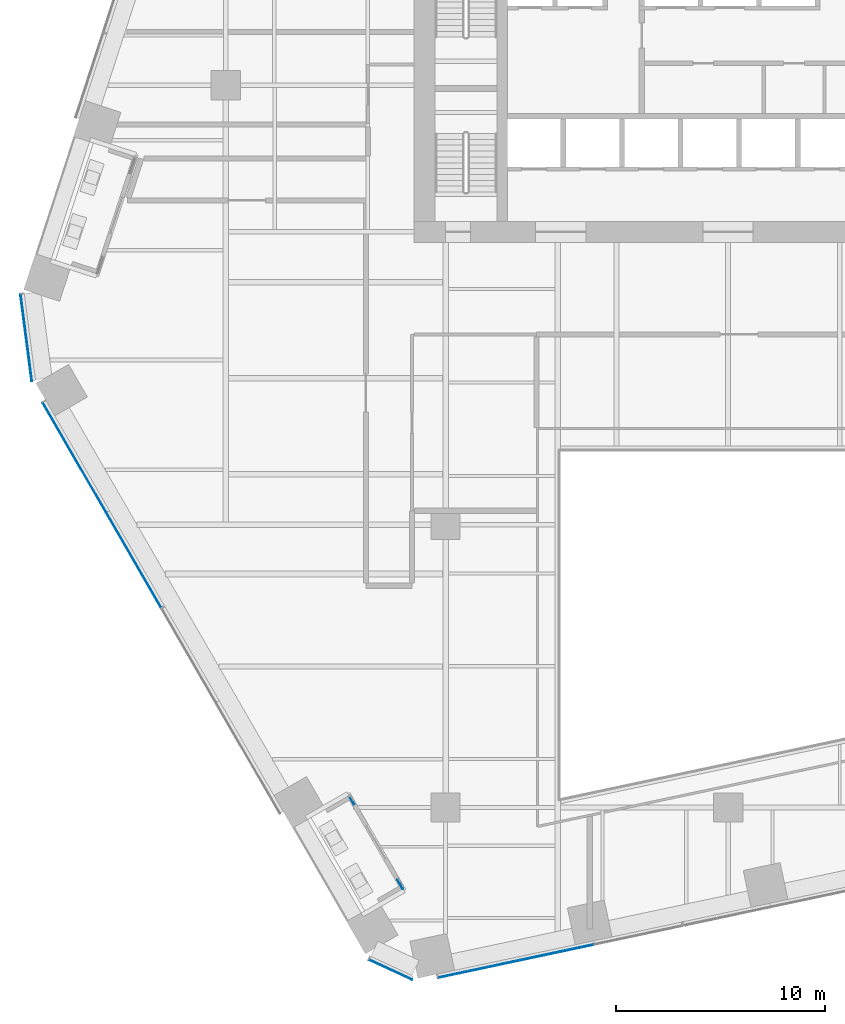
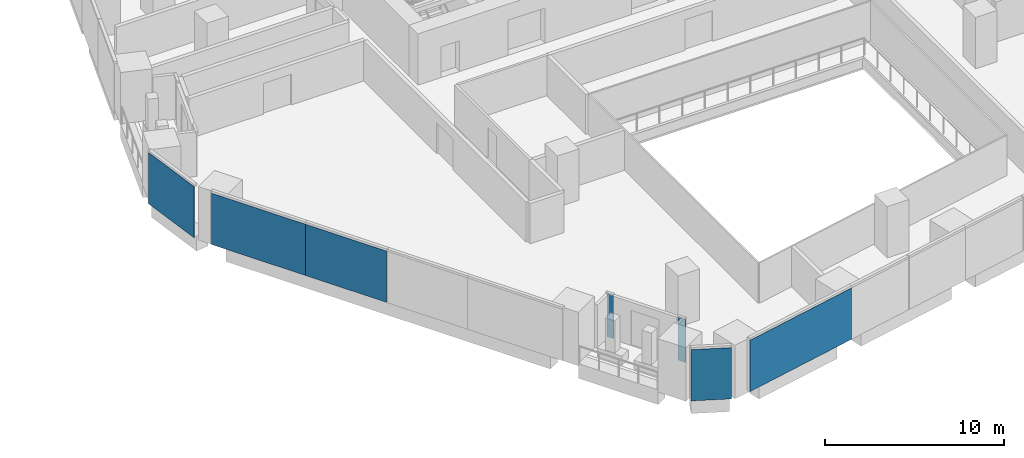
# One storey, part 17 of 31: 7 plates, 5 elements without a shape of their own.
"""IFC4 building model written with IfcOpenShell, lengths in metres."""

import ifcopenshell
import ifcopenshell.guid

model = None  # the IFC model being written
_history = None  # IfcOwnerHistory: only IFC2X3 demands one
_inside = {}  # id of a spatial element -> (the spatial element, [elements in it])
_under = {}  # id of a project, library or spatial element -> (it, [spatial elements below it])
_declared = {}  # id of a project -> (the project, [libraries it declares])
_typed = {}  # id of a type object -> (the type object, [elements of that type])
_made_of = {}  # id of a material, layer set ... -> (it, [elements and type objects made of it])


def new_model(schema):
    """Start an empty IFC model of exactly this schema.

    Asked for "IFC4X3", IfcOpenShell would pick the latest addendum, in which some entities
    have other attributes; the version numbers below select the first issue.
    IFC2X3 requires an IfcOwnerHistory on every rooted entity: one is made here for all.
    """
    global model, _history
    if schema == "IFC4X3":
        model = ifcopenshell.file(schema_version=(4, 3, 0, 0))
    else:
        model = ifcopenshell.file(schema=schema)
    _inside.clear()
    _under.clear()
    _declared.clear()
    _typed.clear()
    _made_of.clear()
    _history = None
    if model.schema == "IFC2X3":
        org = make("IfcOrganization", Name="unknown")
        user = make(
            "IfcPersonAndOrganization",
            ThePerson=make("IfcPerson", FamilyName="unknown"),
            TheOrganization=org,
        )
        app = make(
            "IfcApplication",
            ApplicationDeveloper=org,
            Version="unknown",
            ApplicationFullName="unknown",
            ApplicationIdentifier="unknown",
        )
        _history = make(
            "IfcOwnerHistory",
            OwningUser=user,
            OwningApplication=app,
            ChangeAction="ADDED",
            CreationDate=0,
        )
    return model


def make(cls, **values):
    """One entity of the class cls with the attributes given. An attribute that is None is left unset."""
    return model.create_entity(
        cls, **{name: value for name, value in values.items() if value is not None}
    )


def rooted(cls, **values):
    """An entity with a GlobalId (a new one), such as an element, a storey or a relation."""
    return make(cls, GlobalId=ifcopenshell.guid.new(), OwnerHistory=_history, **values)


def si_unit(unit_type, name, prefix=None):
    """IfcSIUnit, for example si_unit("LENGTHUNIT", "METRE", prefix="MILLI")."""
    return make("IfcSIUnit", UnitType=unit_type, Prefix=prefix, Name=name)


def assignment(units):
    """IfcUnitAssignment: the units of a project."""
    return None if units is None else make("IfcUnitAssignment", Units=units)


def point(xyz):
    """IfcCartesianPoint."""
    return None if xyz is None else make("IfcCartesianPoint", Coordinates=xyz)


def direction(xyz):
    """IfcDirection."""
    return None if xyz is None else make("IfcDirection", DirectionRatios=xyz)


def frame(location, z_axis=None, x_axis=None):
    """IfcAxis2Placement3D, a coordinate frame: its origin and axes. An axis left out is left unset."""
    return make(
        "IfcAxis2Placement3D",
        Location=point(location),
        Axis=direction(z_axis),
        RefDirection=direction(x_axis),
    )


def frame_2d(location, x_axis=None):
    """IfcAxis2Placement2D, a coordinate frame in the plane: its origin and x axis."""
    return make(
        "IfcAxis2Placement2D", Location=point(location), RefDirection=direction(x_axis)
    )


def origin():
    """The frame at (0, 0, 0) with its axes left unset."""
    return frame((0.0, 0.0, 0.0))


def origin_2d():
    """The frame at (0, 0) in the plane with its x axis left unset."""
    return frame_2d((0.0, 0.0))


def place(relative_to, where):
    """IfcLocalPlacement: puts the frame where relative to a parent placement (None: the world)."""
    return make(
        "IfcLocalPlacement", PlacementRelTo=relative_to, RelativePlacement=where
    )


def context(
    kind, dimensions, precision=None, world=None, true_north=None, identifier=None
):
    """IfcGeometricRepresentationContext, for example the 3D "Model" context."""
    return make(
        "IfcGeometricRepresentationContext",
        ContextIdentifier=identifier,
        ContextType=kind,
        CoordinateSpaceDimension=dimensions,
        Precision=precision,
        WorldCoordinateSystem=world,
        TrueNorth=true_north,
    )


def subcontext(parent, identifier, kind, view, scale=None):
    """IfcGeometricRepresentationSubContext, for example "Body" below "Model"."""
    return make(
        "IfcGeometricRepresentationSubContext",
        ContextIdentifier=identifier,
        ContextType=kind,
        ParentContext=parent,
        TargetScale=scale,
        TargetView=view,
    )


def project(units=None, contexts=None):
    """IfcProject with its units and contexts."""
    return rooted(
        "IfcProject",
        Name="project",
        RepresentationContexts=contexts,
        UnitsInContext=assignment(units),
    )


def spatial(cls, under=None, at=None, **own):
    """A site, building, storey or space (cls), placed at a placement, below another one or the project."""
    s = rooted(cls, ObjectPlacement=at, **own)
    if under is not None:
        _under.setdefault(under.id(), (under, []))[1].append(s)
    return s


def profile(cls, at=None, kind="AREA", **sizes):
    """A parametric profile (cls). Its sizes go by their IFC names, for example OverallWidth=200.0."""
    return make(cls, ProfileType=kind, Position=at, **sizes)


def rectangle(**sizes):
    """IfcRectangleProfileDef."""
    return profile("IfcRectangleProfileDef", **sizes)


def extrude(swept, where, along, depth):
    """IfcExtrudedAreaSolid: the profile swept, set in the frame where, extruded along a direction by depth."""
    return make(
        "IfcExtrudedAreaSolid",
        SweptArea=swept,
        Position=where,
        ExtrudedDirection=direction(along),
        Depth=depth,
    )


def shape(context_of_items, identifier, shape_type, items):
    """IfcShapeRepresentation: the items that make up one representation, for example the "Body"."""
    return make(
        "IfcShapeRepresentation",
        ContextOfItems=context_of_items,
        RepresentationIdentifier=identifier,
        RepresentationType=shape_type,
        Items=items,
    )


def material(Name=None, Category=None):
    """IfcMaterial."""
    return make("IfcMaterial", Name=Name, Category=Category)


def layer(
    of_material, thickness, ventilated=None, Name=None, Category=None, Priority=None
):
    """IfcMaterialLayer: one layer of a wall or slab, of a material (None: an air gap)."""
    return make(
        "IfcMaterialLayer",
        Material=of_material,
        LayerThickness=thickness,
        IsVentilated=ventilated,
        Name=Name,
        Category=Category,
        Priority=Priority,
    )


def layer_set(layers, Name=None):
    """IfcMaterialLayerSet."""
    return make("IfcMaterialLayerSet", MaterialLayers=layers, LayerSetName=Name)


def made_of(thing, what):
    """Note that an element or type object is made of a material, layer set ...; save() writes the relation."""
    if what is not None:
        _made_of.setdefault(what.id(), (what, []))[1].append(thing)
    return thing


def type_object(cls, material=None, **own):
    """A type object (cls), such as IfcWallType, which elements share."""
    return made_of(rooted(cls, **own), material)


def element(
    cls,
    number,
    at=None,
    inside=None,
    cuts=None,
    type_object=None,
    material=None,
    context=None,
    identifier="Body",
    shape_type=None,
    held_by="IfcProductDefinitionShape",
    body=None,
    shapes=None,
    **own,
):
    """One element of the class cls, such as IfcWall. Its Tag is "e" and its number.

    at: its placement. inside: the storey or other place that contains it. cuts: it is an
    opening in that element (IfcRelVoidsElement). A single representation is given by context,
    identifier, shape_type and body (its items); several are given by shapes. held_by: the class
    of the entity that holds the representations. save() writes the other relations.
    """
    e = rooted(cls, Tag="e%d" % number, ObjectPlacement=at, **own)
    if body is not None:
        shapes = [shape(context, identifier, shape_type, body)]
    if shapes is not None:
        e.Representation = make(held_by, Representations=shapes)
    if inside is not None:
        _inside.setdefault(inside.id(), (inside, []))[1].append(e)
    if cuts is not None:
        rooted(
            "IfcRelVoidsElement", RelatingBuildingElement=cuts, RelatedOpeningElement=e
        )
    if type_object is not None:
        _typed.setdefault(type_object.id(), (type_object, []))[1].append(e)
    return made_of(e, material)


def aggregate(whole, parts):
    """IfcRelAggregates: a whole, such as a stair, and the parts it consists of."""
    return rooted("IfcRelAggregates", RelatingObject=whole, RelatedObjects=parts)


def save(model, path):
    """Write the relations noted so far, then the file.

    IfcRelAggregates (storeys below a building ...), IfcRelContainedInSpatialStructure (elements
    in a storey), IfcRelDefinesByType, IfcRelAssociatesMaterial and IfcRelDeclares: one each for
    every whole, place, type object, material and project.
    """
    for whole, parts in _under.values():
        aggregate(whole, parts)
    for where, things in _inside.values():
        rooted(
            "IfcRelContainedInSpatialStructure",
            RelatedElements=things,
            RelatingStructure=where,
        )
    for kind, things in _typed.values():
        rooted("IfcRelDefinesByType", RelatedObjects=things, RelatingType=kind)
    for what, things in _made_of.values():
        rooted("IfcRelAssociatesMaterial", RelatedObjects=things, RelatingMaterial=what)
    for by, libraries in _declared.values():
        rooted("IfcRelDeclares", RelatingContext=by, RelatedDefinitions=libraries)
    model.write(path)


model = new_model("IFC4")

# Units and contexts
model_context = context("Model", 3, precision=1e-05, world=origin(), true_north=direction((0.0, 1.0)))
body_context = subcontext(model_context, "Body", "Model", "MODEL_VIEW")
ifc_project = project(units=[si_unit("LENGTHUNIT", "METRE"), si_unit("AREAUNIT", "SQUARE_METRE"), si_unit("VOLUMEUNIT", "CUBIC_METRE"), si_unit("PLANEANGLEUNIT", "RADIAN"), si_unit("MASSUNIT", "GRAM", prefix="KILO")], contexts=[model_context])

# Site, building, storey
site_placement = place(None, origin())
site = spatial("IfcSite", under=ifc_project, at=site_placement, CompositionType="ELEMENT")
building_placement = place(site_placement, origin())
building = spatial("IfcBuilding", under=site, at=building_placement, Name="Isthmus Gate Tower", CompositionType="ELEMENT")
storey_placement = place(building_placement, frame((0.0, 0.0, 54.25)))
storey = spatial("IfcBuildingStorey", under=building, at=storey_placement, Name="L11", CompositionType="ELEMENT", Elevation=54.25)

# Curtain wall, plate
ifc_material_1 = material(Name="Aluminium, pale champagne anodised", Category="aluminium")
ifc_layer_1 = layer(ifc_material_1, 0.199951171875)
ifc_layer_set_1 = layer_set([ifc_layer_1], Name="CW-1 UNITISED CURTAIN WALL 200 DEEP")
curtain_wall_type_1 = type_object("IfcCurtainWallType", Name="CW-1 UNITISED CURTAIN WALL 200 DEEP", PredefinedType="NOTDEFINED", material=ifc_layer_set_1)
curtain_wall_1_placement = place(storey_placement, origin())
curtain_wall_1 = element("IfcCurtainWall", 1, at=curtain_wall_1_placement, inside=storey, type_object=curtain_wall_type_1, Name="CW-1 NW-SW L11", PredefinedType="NOTDEFINED")
ifc_material_2 = material(Name="Laminated low-iron glass, pale blue tint", Category="glass")
ifc_layer_2 = layer(ifc_material_2, 0.0400390625)
ifc_layer_set_2 = layer_set([ifc_layer_2], Name="CW-1 CLEAR GLASS LITE 40")
plate_type_1 = type_object("IfcPlateType", Name="CW-1 CLEAR GLASS LITE 40", PredefinedType="CURTAIN_PANEL", material=ifc_layer_set_2)
plate_1_placement = place(storey_placement, frame((-33.5283203125, -4.558349609375, 0.0), z_axis=(0.0, 0.0, 1.0), x_axis=(0.129164534, -0.991623175988, 0.0)))
plate_1 = element("IfcPlate", 2, at=plate_1_placement, type_object=plate_type_1, Name="CW-1 glass lite", PredefinedType="CURTAIN_PANEL", context=body_context, shape_type="SweptSolid", body=[
    extrude(rectangle(XDim=4.181396484375, YDim=0.0400390625, at=origin_2d()), origin(), (0.0, 0.0, 1.0), 3.5),
])
aggregate(curtain_wall_1, [plate_1])

# Curtain wall, plates
curtain_wall_2_placement = place(storey_placement, origin())
curtain_wall_2 = element("IfcCurtainWall", 3, at=curtain_wall_2_placement, inside=storey, type_object=curtain_wall_type_1, Name="CW-1 SW L11", PredefinedType="NOTDEFINED")
plate_2_placement = place(storey_placement, frame((-31.22119140625, -10.283203125, 0.0), z_axis=(0.0, 0.0, 1.0), x_axis=(0.5, -0.866025403784, 0.0)))
plate_2 = element("IfcPlate", 4, at=plate_2_placement, type_object=plate_type_1, Name="CW-1 glass lite", PredefinedType="CURTAIN_PANEL", context=body_context, shape_type="SweptSolid", body=[
    extrude(rectangle(XDim=6.07373046875, YDim=0.0400390625, at=origin_2d()), origin(), (0.0, 0.0, 1.0), 3.5),
])
plate_3_placement = place(storey_placement, frame((-28.394287109375, -15.179443359375, 0.0), z_axis=(0.0, 0.0, 1.0), x_axis=(0.5, -0.866025403784, 0.0)))
plate_3 = element("IfcPlate", 5, at=plate_3_placement, type_object=plate_type_1, Name="CW-1 glass lite", PredefinedType="CURTAIN_PANEL", context=body_context, shape_type="SweptSolid", body=[
    extrude(rectangle(XDim=5.233642578125, YDim=0.0400390625, at=origin_2d()), origin(), (0.0, 0.0, 1.0), 3.5),
])
aggregate(curtain_wall_2, [plate_2, plate_3])

# Curtain wall, plate
curtain_wall_3_placement = place(storey_placement, origin())
curtain_wall_3 = element("IfcCurtainWall", 6, at=curtain_wall_3_placement, inside=storey, type_object=curtain_wall_type_1, Name="CW-1 SW-S L11", PredefinedType="NOTDEFINED")
plate_4_placement = place(storey_placement, frame((-16.1298828125, -34.7451171875, 0.0), z_axis=(0.0, 0.0, 1.0), x_axis=(0.907256261367, -0.420578264073, 0.0)))
plate_4 = element("IfcPlate", 7, at=plate_4_placement, type_object=plate_type_1, Name="CW-1 glass lite", PredefinedType="CURTAIN_PANEL", context=body_context, shape_type="SweptSolid", body=[
    extrude(rectangle(XDim=2.258544921875, YDim=0.0400390625, at=origin_2d()), origin(), (0.0, 0.0, 1.0), 3.5),
])
aggregate(curtain_wall_3, [plate_4])

curtain_wall_4_placement = place(storey_placement, origin())
curtain_wall_4 = element("IfcCurtainWall", 8, at=curtain_wall_4_placement, inside=storey, type_object=curtain_wall_type_1, Name="CW-1 S L11", PredefinedType="NOTDEFINED")
plate_5_placement = place(storey_placement, frame((-10.117919921875, -34.334716796875, 0.0), z_axis=(0.0, 0.0, 1.0), x_axis=(0.978147600734, 0.207911690818, 0.0)))
plate_5 = element("IfcPlate", 9, at=plate_5_placement, type_object=plate_type_1, Name="CW-1 glass lite", PredefinedType="CURTAIN_PANEL", context=body_context, shape_type="SweptSolid", body=[
    extrude(rectangle(XDim=7.62939453125, YDim=0.0400390625, at=origin_2d()), origin(), (0.0, 0.0, 1.0), 3.5),
])
aggregate(curtain_wall_4, [plate_5])

# Curtain wall, plates
ifc_material_3 = material(Name="Aluminium, pale champagne anodised", Category="aluminium")
ifc_layer_3 = layer(ifc_material_3, 0.14990234375)
ifc_layer_set_3 = layer_set([ifc_layer_3], Name="CW-6 LOGGIA BACK WALL GLAZING 150 DEEP")
curtain_wall_type_2 = type_object("IfcCurtainWallType", Name="CW-6 LOGGIA BACK WALL GLAZING 150 DEEP", PredefinedType="NOTDEFINED", material=ifc_layer_set_3)
curtain_wall_5_placement = place(storey_placement, origin())
curtain_wall_5 = element("IfcCurtainWall", 10, at=curtain_wall_5_placement, inside=storey, type_object=curtain_wall_type_2, Name="CW-6 SW L11", PredefinedType="NOTDEFINED")
ifc_material_4 = material(Name="Laminated low-iron glass, clear", Category="glass")
ifc_layer_4 = layer(ifc_material_4, 0.031982421875)
ifc_layer_set_4 = layer_set([ifc_layer_4], Name="CW-6 CLEAR GLASS LITE 32")
plate_type_2 = type_object("IfcPlateType", Name="CW-6 CLEAR GLASS LITE 32", PredefinedType="CURTAIN_PANEL", material=ifc_layer_set_4)
plate_6_placement = place(storey_placement, frame((-17.971923828125, -26.671875, 0.0), z_axis=(0.0, 0.0, 1.0), x_axis=(0.5, -0.866025403784, 0.0)))
plate_6 = element("IfcPlate", 11, at=plate_6_placement, type_object=plate_type_2, Name="CW-6 glass lite", PredefinedType="CURTAIN_PANEL", context=body_context, shape_type="SweptSolid", body=[
    extrude(rectangle(XDim=0.43994140625, YDim=0.031982421875, at=origin_2d()), origin(), (0.0, 0.0, 1.0), 2.929931640625),
])
plate_7_placement = place(storey_placement, frame((-15.6650390625, -30.66748046875, 0.0), z_axis=(0.0, 0.0, 1.0), x_axis=(0.5, -0.866025403784, 0.0)))
plate_7 = element("IfcPlate", 12, at=plate_7_placement, type_object=plate_type_2, Name="CW-6 glass lite", PredefinedType="CURTAIN_PANEL", context=body_context, shape_type="SweptSolid", body=[
    extrude(rectangle(XDim=0.5, YDim=0.031982421875, at=origin_2d()), origin(), (0.0, 0.0, 1.0), 2.929931640625),
])
aggregate(curtain_wall_5, [plate_6, plate_7])

save(model, "model.ifc")
